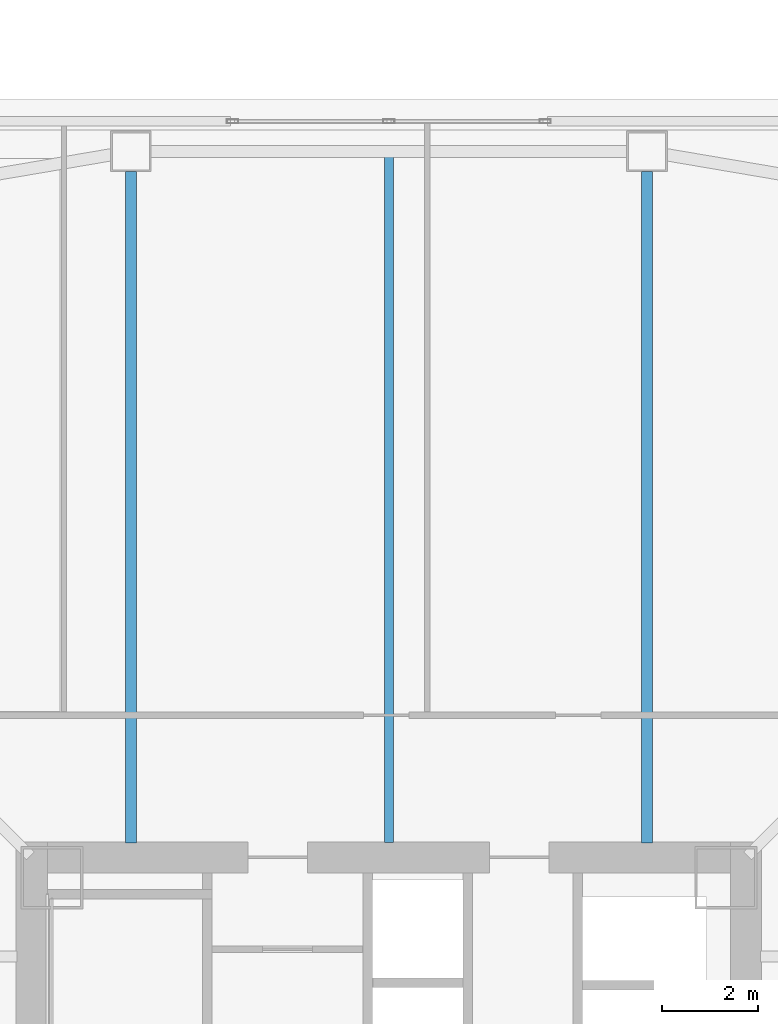
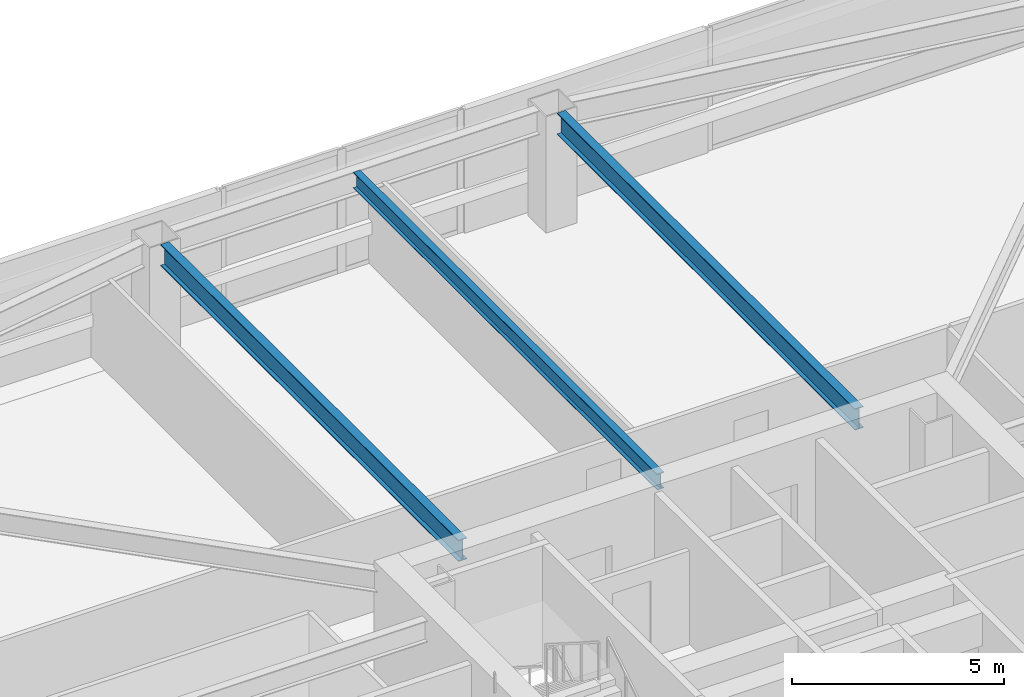
# One storey, part 11 of 45: 3 beams.
"""IFC4 building model written with IfcOpenShell, lengths in metres."""

from ifc_helpers import new_model, si_unit, direction, frame, origin, origin_2d, place, context, subcontext, project, spatial, i_section, extrude, material, material_profile, profile_set, type_object, element, save


model = new_model("IFC4")

# Units and contexts
model_context = context("Model", 3, precision=1e-05, world=origin(), true_north=direction((0.0, 1.0)))
body_context = subcontext(model_context, "Body", "Model", "MODEL_VIEW")
ifc_project = project(units=[si_unit("LENGTHUNIT", "METRE"), si_unit("AREAUNIT", "SQUARE_METRE"), si_unit("VOLUMEUNIT", "CUBIC_METRE"), si_unit("PLANEANGLEUNIT", "RADIAN"), si_unit("MASSUNIT", "GRAM", prefix="KILO")], contexts=[model_context])

# Site, building, storey
site_placement = place(None, origin())
site = spatial("IfcSite", under=ifc_project, at=site_placement, CompositionType="ELEMENT")
building_placement = place(site_placement, origin())
building = spatial("IfcBuilding", under=site, at=building_placement, Name="Tashvorn Skyway Center", CompositionType="ELEMENT")
storey_placement = place(building_placement, frame((0.0, 0.0, 35.25)))
storey = spatial("IfcBuildingStorey", under=building, at=storey_placement, Name="L08", CompositionType="ELEMENT", Elevation=35.25)

# Beams
ifc_material = material(Name="Steel ASTM A992 Grade 50", Category="steel")
ifc_material_profile_1 = material_profile(ifc_material, i_section(OverallWidth=0.22998046875, OverallDepth=0.616943359375, WebThickness=0.01318359375, FlangeThickness=0.022216796875, at=origin_2d()), Name="W24X94")
ifc_profile_set_1 = profile_set([ifc_material_profile_1], Name="Steel ASTM A992 Grade 50")
beam_type_1 = type_object("IfcBeamType", Name="BM-BEAM-W24X94", PredefinedType="BEAM", material=ifc_profile_set_1)
for number, where, z_axis, x_axis, name in (
    (1, (47.39990234375, 53.830078125, 3.04150390625), (0.0, -1.0, 0.0), (1.0, 0.0, 0.0), "Tower 1 L08 Primary Floor Girder FC-N1"),
    (2, (36.60009765625, 53.830078125, 3.04150390625), (0.0, -1.0, 0.0), (1.0, 0.0, 0.0), "Tower 1 L08 Primary Floor Girder FC-N2"),
):
    element("IfcBeam", number, at=place(storey_placement, frame(where, z_axis=z_axis, x_axis=x_axis)), inside=storey, type_object=beam_type_1, Name=name, PredefinedType="BEAM", context=body_context, shape_type="SweptSolid", body=[
        extrude(i_section(OverallWidth=0.22998046875, OverallDepth=0.616943359375, WebThickness=0.01318359375, FlangeThickness=0.022216796875, at=origin_2d()), origin(), (0.0, 0.0, 1.0), 14.050048828125),
    ])
ifc_material_profile_2 = material_profile(ifc_material, i_section(OverallWidth=0.19091796875, OverallDepth=0.4599609375, WebThickness=0.010009765625, FlangeThickness=0.01611328125, at=origin_2d()), Name="W18X55")
ifc_profile_set_2 = profile_set([ifc_material_profile_2], Name="Steel ASTM A992 Grade 50")
beam_type_2 = type_object("IfcBeamType", Name="BM-JOIST-W18X55", PredefinedType="JOIST", material=ifc_profile_set_2)
beam_placement = place(storey_placement, frame((42.0, 39.7900390625, 3.1201171875), z_axis=(0.0, 1.0, 0.0), x_axis=(-1.0, 0.0, 0.0)))
element("IfcBeam", 3, at=beam_placement, inside=storey, type_object=beam_type_2, Name="Tower 1 L08 Secondary Composite Joist JN", PredefinedType="JOIST", context=body_context, shape_type="SweptSolid", body=[
    extrude(i_section(OverallWidth=0.19091796875, OverallDepth=0.4599609375, WebThickness=0.010009765625, FlangeThickness=0.01611328125, at=origin_2d()), origin(), (0.0, 0.0, 1.0), 14.33984375),
])

save(model, "model.ifc")
